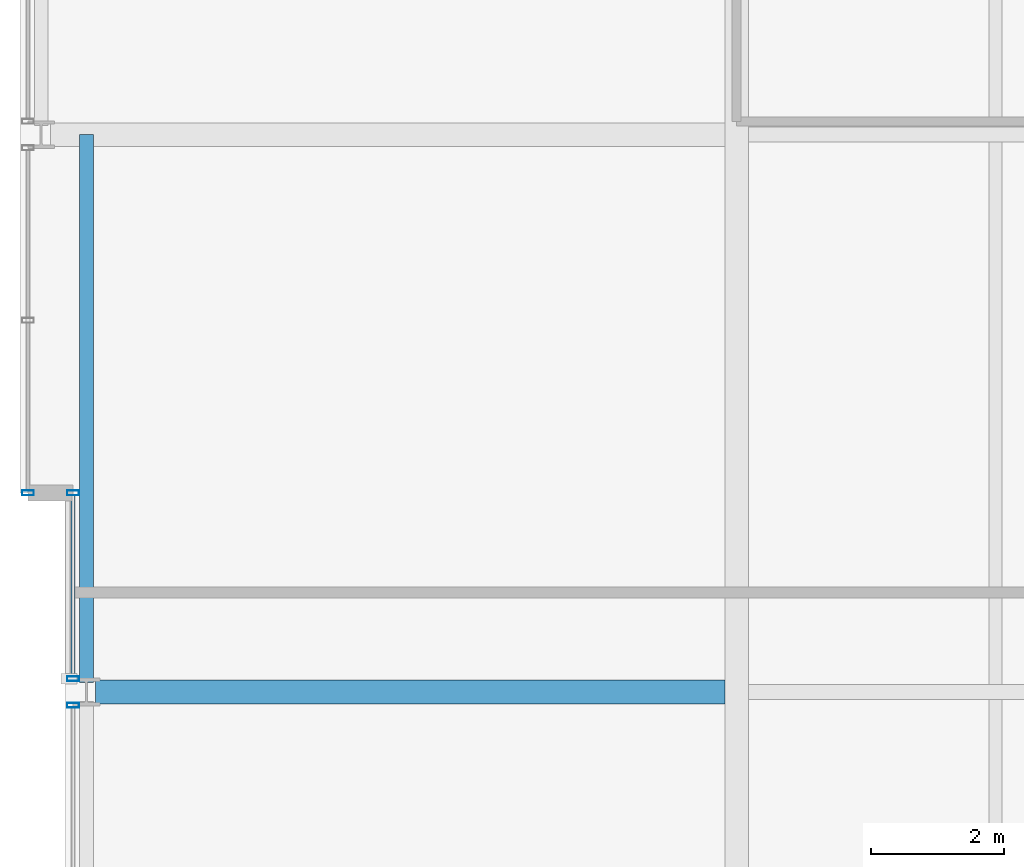
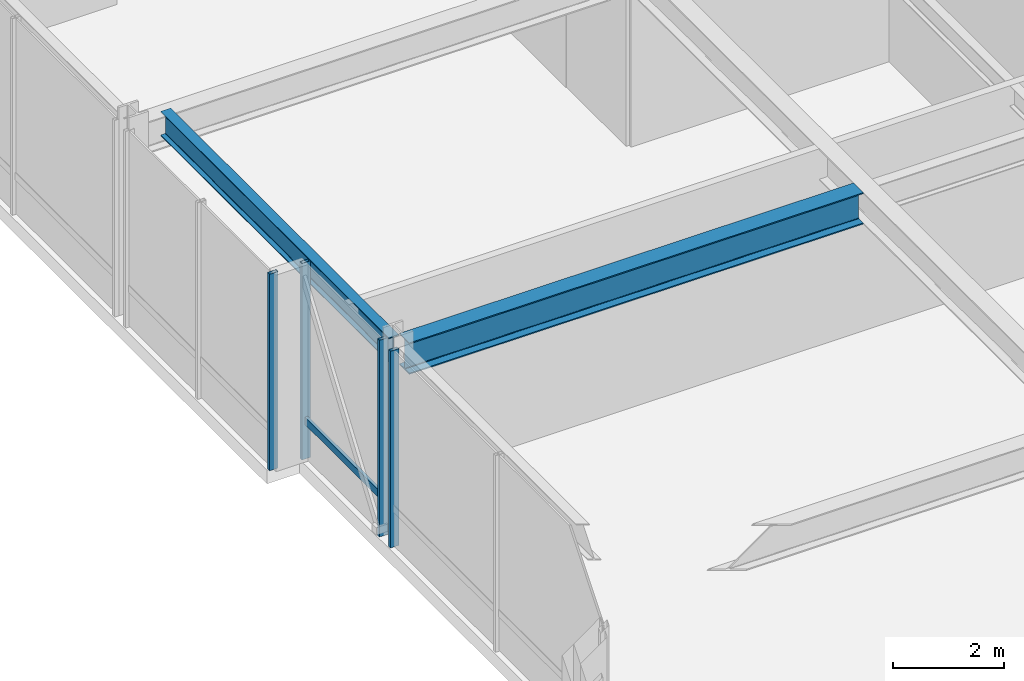
# One storey, part 9 of 32: 5 members, 2 beams, 3 elements without a shape of their own.
"""IFC4 building model written with IfcOpenShell, lengths in metres."""

from ifc_helpers import new_model, si_unit, direction, frame, origin, origin_2d, place, context, subcontext, project, spatial, hollow_rectangle, i_section, extrude, material, layer, layer_set, material_profile, profile_set, type_object, element, aggregate, save


model = new_model("IFC4")

# Units and contexts
model_context = context("Model", 3, precision=1e-05, world=origin(), true_north=direction((0.0, 1.0)))
body_context = subcontext(model_context, "Body", "Model", "MODEL_VIEW")
ifc_project = project(units=[si_unit("LENGTHUNIT", "METRE"), si_unit("AREAUNIT", "SQUARE_METRE"), si_unit("VOLUMEUNIT", "CUBIC_METRE"), si_unit("PLANEANGLEUNIT", "RADIAN"), si_unit("MASSUNIT", "GRAM", prefix="KILO")], contexts=[model_context])

# Site, building, storey
site_placement = place(None, origin())
site = spatial("IfcSite", under=ifc_project, at=site_placement, CompositionType="ELEMENT")
building_placement = place(site_placement, origin())
building = spatial("IfcBuilding", under=site, at=building_placement, Name="Drelvath Grand Hotel", CompositionType="ELEMENT")
storey_placement = place(building_placement, frame((0.0, 0.0, 145.800048828125)))
storey = spatial("IfcBuildingStorey", under=building, at=storey_placement, Name="L37", CompositionType="ELEMENT", Elevation=145.800048828125)

# Curtain wall, member
ifc_material_1 = material(Name="Brushed Pale-Silver Anodised Aluminium Frame", Category="aluminium")
ifc_layer = layer(ifc_material_1, 0.199951171875)
ifc_layer_set = layer_set([ifc_layer], Name="Brushed Pale-Silver Anodised Aluminium Frame")
curtain_wall_type = type_object("IfcCurtainWallType", Name="Stick Curtain Wall CW-04 Brushed Silver Upper-Mid", PredefinedType="NOTDEFINED", material=ifc_layer_set)
curtain_wall_1_placement = place(storey_placement, origin())
curtain_wall_1 = element("IfcCurtainWall", 1, at=curtain_wall_1_placement, inside=storey, type_object=curtain_wall_type, Name="L37 CW-04 Curtain Wall CW04-L37-WM2", PredefinedType="NOTDEFINED")
ifc_material_profile_1 = material_profile(ifc_material_1, hollow_rectangle(XDim=0.06494140625, YDim=0.159912109375, WallThickness=0.00390625, at=origin_2d()), Name="HSS160X65X4")
ifc_profile_set_1 = profile_set([ifc_material_profile_1], Name="Brushed Pale-Silver Anodised Aluminium Frame")
member_type_1 = type_object("IfcMemberType", Name="Curtain Wall Horizontal Transom CW-04 HSS160X65X4", PredefinedType="USERDEFINED", material=ifc_profile_set_1)
member_1_placement = place(storey_placement, frame((-26.199951171875, 27.239990234375, 0.849853515625), z_axis=(0.0, 1.0, 0.0), x_axis=(-1.0, 0.0, 0.0)))
member_1 = element("IfcMember", 2, at=member_1_placement, type_object=member_type_1, Name="CW04-L37-WM2 Sill Transom", ObjectType="TRANSOM", PredefinedType="USERDEFINED", context=body_context, shape_type="SweptSolid", body=[
    extrude(hollow_rectangle(XDim=0.06494140625, YDim=0.159912109375, WallThickness=0.00390625, at=origin_2d()), origin(), (0.0, 0.0, 1.0), 2.719970703125),
])

curtain_wall_2_placement = place(storey_placement, origin())
curtain_wall_2 = element("IfcCurtainWall", 3, at=curtain_wall_2_placement, inside=storey, type_object=curtain_wall_type, Name="L37 CW-04 Curtain Wall CW04-L37-WM1", PredefinedType="NOTDEFINED")
ifc_material_profile_2 = material_profile(ifc_material_1, hollow_rectangle(XDim=0.074951171875, YDim=0.179931640625, WallThickness=0.0048828125, at=origin_2d()), Name="HSS180X75X5")
ifc_profile_set_2 = profile_set([ifc_material_profile_2], Name="Brushed Pale-Silver Anodised Aluminium Frame")
member_type_2 = type_object("IfcMemberType", Name="Curtain Wall Vertical Mullion CW-04 HSS180X75X5", PredefinedType="MULLION", material=ifc_profile_set_2)
member_2_placement = place(storey_placement, frame((-26.199951171875, 26.7998046875, 0.0), z_axis=(0.0, 0.0, 1.0), x_axis=(0.0, 1.0, 0.0)))
member_2 = element("IfcMember", 4, at=member_2_placement, type_object=member_type_2, Name="CW04-L37-WM1 Mullion 3", PredefinedType="MULLION", context=body_context, shape_type="SweptSolid", body=[
    extrude(hollow_rectangle(XDim=0.074951171875, YDim=0.179931640625, WallThickness=0.0048828125, at=origin_2d()), origin(), (0.0, 0.0, 1.0), 4.33984375),
])
aggregate(curtain_wall_2, [member_2])

# Member
member_3_placement = place(storey_placement, frame((-26.199951171875, 27.2001953125, 0.0), z_axis=(0.0, 0.0, 1.0), x_axis=(0.0, 1.0, 0.0)))
member_3 = element("IfcMember", 5, at=member_3_placement, type_object=member_type_2, Name="CW04-L37-WM2 Mullion 1", PredefinedType="MULLION", context=body_context, shape_type="SweptSolid", body=[
    extrude(hollow_rectangle(XDim=0.074951171875, YDim=0.179931640625, WallThickness=0.0048828125, at=origin_2d()), origin(), (0.0, 0.0, 1.0), 4.33984375),
])

member_4_placement = place(storey_placement, frame((-26.199951171875, 30.0, 0.0), z_axis=(0.0, 0.0, 1.0), x_axis=(0.0, 1.0, 0.0)))
member_4 = element("IfcMember", 6, at=member_4_placement, type_object=member_type_2, Name="CW04-L37-WM2 Mullion 2", PredefinedType="MULLION", context=body_context, shape_type="SweptSolid", body=[
    extrude(hollow_rectangle(XDim=0.074951171875, YDim=0.179931640625, WallThickness=0.0048828125, at=origin_2d()), origin(), (0.0, 0.0, 1.0), 4.33984375),
])

aggregate(curtain_wall_1, [member_3, member_4, member_1])

# Curtain wall, member
curtain_wall_3_placement = place(storey_placement, origin())
curtain_wall_3 = element("IfcCurtainWall", 7, at=curtain_wall_3_placement, inside=storey, type_object=curtain_wall_type, Name="L37 CW-04 Curtain Wall CW04-L37-WN1", PredefinedType="NOTDEFINED")
member_5_placement = place(storey_placement, frame((-26.8798828125, 30.0, 0.0), z_axis=(0.0, 0.0, 1.0), x_axis=(0.0, 1.0, 0.0)))
member_5 = element("IfcMember", 8, at=member_5_placement, type_object=member_type_2, Name="CW04-L37-WN1 Mullion 1", PredefinedType="MULLION", context=body_context, shape_type="SweptSolid", body=[
    extrude(hollow_rectangle(XDim=0.074951171875, YDim=0.179931640625, WallThickness=0.0048828125, at=origin_2d()), origin(), (0.0, 0.0, 1.0), 4.33984375),
])
aggregate(curtain_wall_3, [member_5])

# Beams
ifc_material_2 = material(Name="Steel ASTM A992 Gr 50", Category="steel")
ifc_material_profile_3 = material_profile(ifc_material_2, i_section(OverallWidth=0.210205078125, OverallDepth=0.53662109375, WebThickness=0.010986328125, FlangeThickness=0.017333984375, FilletRadius=0.01806640625, at=origin_2d()), Name="W21X68")
ifc_profile_set_3 = profile_set([ifc_material_profile_3], Name="Steel ASTM A992 Gr 50")
beam_type_1 = type_object("IfcBeamType", Name="Perimeter Spandrel Beam W21X68", PredefinedType="SPANDREL", material=ifc_profile_set_3)
beam_1_placement = place(storey_placement, frame((-26.0, 27.139892578125, 4.071533203125), z_axis=(0.0, 1.0, 0.0), x_axis=(-1.0, 0.0, 0.0)))
element("IfcBeam", 9, at=beam_1_placement, inside=storey, type_object=beam_type_1, Name="L37 Spandrel West Mid N", PredefinedType="SPANDREL", context=body_context, shape_type="SweptSolid", body=[
    extrude(i_section(OverallWidth=0.210205078125, OverallDepth=0.53662109375, WebThickness=0.010986328125, FlangeThickness=0.017333984375, FilletRadius=0.01806640625, at=origin_2d()), origin(), (0.0, 0.0, 1.0), 8.260009765625),
])
ifc_material_profile_4 = material_profile(ifc_material_2, i_section(OverallWidth=0.354736328125, OverallDepth=0.695556640625, WebThickness=0.015380859375, FlangeThickness=0.025146484375, FilletRadius=0.02392578125, at=origin_2d()), Name="W27X146")
ifc_profile_set_4 = profile_set([ifc_material_profile_4], Name="Steel ASTM A992 Gr 50")
beam_type_2 = type_object("IfcBeamType", Name="Primary Floor Girder W27X146", PredefinedType="BEAM", material=ifc_profile_set_4)
beam_2_placement = place(storey_placement, frame((-25.860107421875, 27.0, 3.9921875), z_axis=(1.0, 0.0, 0.0), x_axis=(0.0, 1.0, 0.0)))
element("IfcBeam", 10, at=beam_2_placement, inside=storey, type_object=beam_type_2, Name="L37 West Wing Girder E", PredefinedType="BEAM", context=body_context, shape_type="SweptSolid", body=[
    extrude(i_section(OverallWidth=0.354736328125, OverallDepth=0.695556640625, WebThickness=0.015380859375, FlangeThickness=0.025146484375, FilletRadius=0.02392578125, at=origin_2d()), origin(), (0.0, 0.0, 1.0), 9.482666015625),
])

save(model, "model.ifc")
